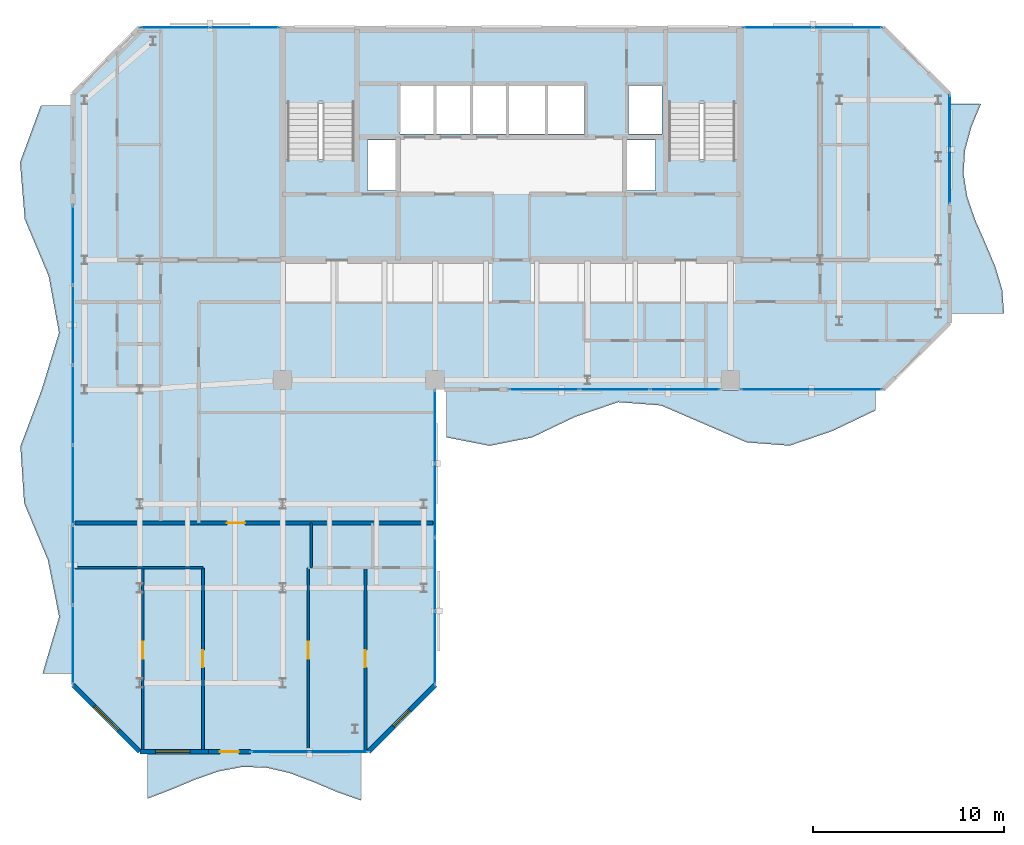
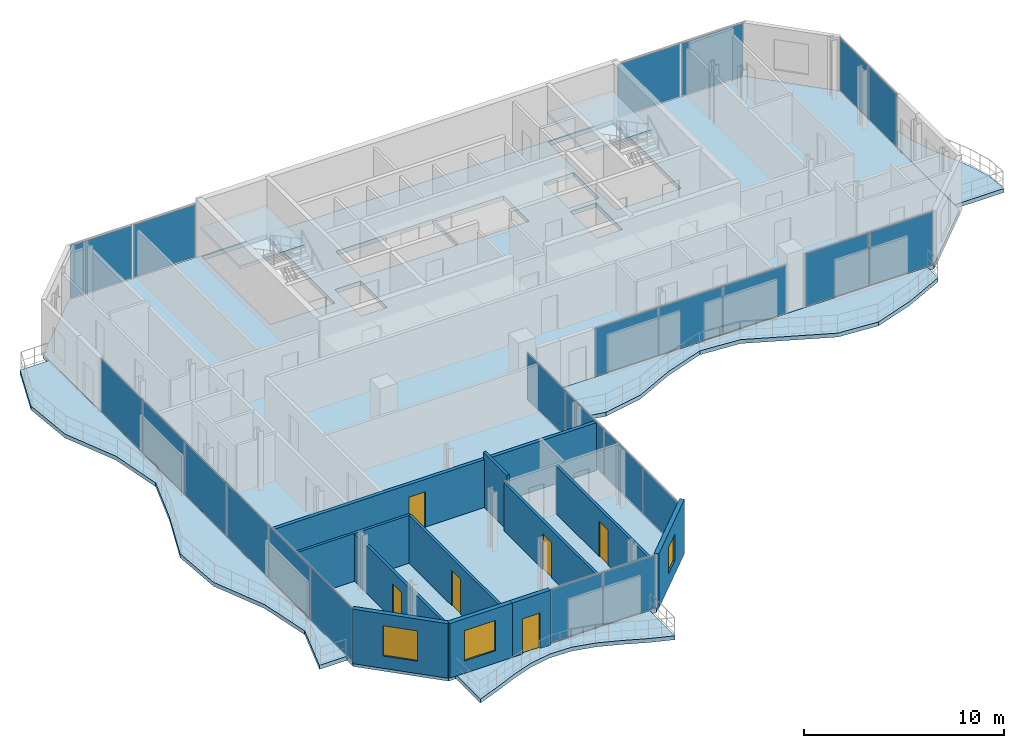
# One storey, part 17 of 23: 23 plates, 11 walls, 7 slabs, 6 doors, 3 windows, 9 openings, 10 elements without a shape of their own.
"""IFC4 building model written with IfcOpenShell, lengths in metres."""

from ifc_helpers import new_model, si_unit, direction, frame, frame_2d, origin, origin_2d, place, context, subcontext, project, spatial, polyline, rectangle, outline, extrude, material, layer, layer_set, type_object, element, fill, aggregate, save


model = new_model("IFC4")

# Units and contexts
model_context = context("Model", 3, precision=1e-05, world=origin(), true_north=direction((0.0, 1.0)))
body_context = subcontext(model_context, "Body", "Model", "MODEL_VIEW")
ifc_project = project(units=[si_unit("LENGTHUNIT", "METRE"), si_unit("AREAUNIT", "SQUARE_METRE"), si_unit("VOLUMEUNIT", "CUBIC_METRE"), si_unit("PLANEANGLEUNIT", "RADIAN"), si_unit("MASSUNIT", "GRAM", prefix="KILO")], contexts=[model_context])

# Site, building, storey
site_placement = place(None, origin())
site = spatial("IfcSite", under=ifc_project, at=site_placement, CompositionType="ELEMENT")
building_placement = place(site_placement, origin())
building = spatial("IfcBuilding", under=site, at=building_placement, Name="Catumbela Crestline Tower", CompositionType="ELEMENT")
storey_placement = place(building_placement, frame((0.0, 0.0, 193.8)))
storey = spatial("IfcBuildingStorey", under=building, at=storey_placement, Name="L50", CompositionType="ELEMENT", Elevation=193.8)

# Curtain wall, plates
ifc_material_1 = material(Name="Aluminium alloy AW-6060-T66", Category="aluminium")
ifc_layer_1 = layer(ifc_material_1, 0.18, Name="Aluminium alloy AW-6060-T66")
ifc_layer_set_1 = layer_set([ifc_layer_1], Name="Aluminium alloy AW-6060-T66")
curtain_wall_type = type_object("IfcCurtainWallType", Name="CWU-Z3", PredefinedType="USERDEFINED", material=ifc_layer_set_1)
curtain_wall_1_placement = place(storey_placement, origin())
curtain_wall_1 = element("IfcCurtainWall", 1, at=curtain_wall_1_placement, inside=storey, type_object=curtain_wall_type, Name="L50 Unitised Curtain Wall CW-L50-E0S2", ObjectType="UNITISED", PredefinedType="USERDEFINED")
ifc_material_2 = material(Name="Low-E laminated solar-control double glazing", Category="glass")
ifc_layer_2 = layer(ifc_material_2, 0.036, Name="Low-E laminated solar-control double glazing")
ifc_layer_set_2 = layer_set([ifc_layer_2], Name="Low-E laminated solar-control double glazing")
plate_type = type_object("IfcPlateType", Name="PNL-GLZ-Z3", PredefinedType="CURTAIN_PANEL", material=ifc_layer_set_2)
plate_1_placement = place(storey_placement, frame((15.8662, 5.0, 0.06), z_axis=(0.0, 0.0, 1.0), x_axis=(1.0, 0.0, 0.0)))
plate_1 = element("IfcPlate", 2, at=plate_1_placement, type_object=plate_type, Name="CWU-Z3 panel 1.1", PredefinedType="CURTAIN_PANEL", context=body_context, shape_type="SweptSolid", body=[
    extrude(rectangle(XDim=3.0025, YDim=0.034, at=origin_2d()), origin(), (0.0, 0.0, 1.0), 3.21),
])
plate_2_placement = place(storey_placement, frame((18.9338, 5.0, 0.06), z_axis=(0.0, 0.0, 1.0), x_axis=(1.0, 0.0, 0.0)))
plate_2 = element("IfcPlate", 3, at=plate_2_placement, type_object=plate_type, Name="CWU-Z3 panel 2.1", PredefinedType="CURTAIN_PANEL", context=body_context, shape_type="SweptSolid", body=[
    extrude(rectangle(XDim=3.0025, YDim=0.034, at=origin_2d()), origin(), (0.0, 0.0, 1.0), 3.21),
])
aggregate(curtain_wall_1, [plate_1, plate_2])

curtain_wall_2_placement = place(storey_placement, origin())
curtain_wall_2 = element("IfcCurtainWall", 4, at=curtain_wall_2_placement, inside=storey, type_object=curtain_wall_type, Name="L50 Unitised Curtain Wall CW-L50-E2S1", ObjectType="UNITISED", PredefinedType="USERDEFINED")
plate_3_placement = place(storey_placement, frame((24.0, 10.4538, 0.06), z_axis=(0.0, 0.0, 1.0), x_axis=(0.0, 1.0, 0.0)))
plate_3 = element("IfcPlate", 5, at=plate_3_placement, type_object=plate_type, Name="CWU-Z3 panel 1.1", PredefinedType="CURTAIN_PANEL", context=body_context, shape_type="SweptSolid", body=[
    extrude(rectangle(XDim=3.7775, YDim=0.034, at=origin_2d()), origin(), (0.0, 0.0, 1.0), 2.8),
])
plate_4_placement = place(storey_placement, frame((24.0, 14.3125, 0.06), z_axis=(0.0, 0.0, 1.0), x_axis=(0.0, 1.0, 0.0)))
plate_4 = element("IfcPlate", 6, at=plate_4_placement, type_object=plate_type, Name="CWU-Z3 panel 2.1", PredefinedType="CURTAIN_PANEL", context=body_context, shape_type="SweptSolid", body=[
    extrude(rectangle(XDim=3.81, YDim=0.034, at=origin_2d()), origin(), (0.0, 0.0, 1.0), 2.8),
])
plate_5_placement = place(storey_placement, frame((24.0, 18.1875, 0.06), z_axis=(0.0, 0.0, 1.0), x_axis=(0.0, 1.0, 0.0)))
plate_5 = element("IfcPlate", 7, at=plate_5_placement, type_object=plate_type, Name="CWU-Z3 panel 3.1", PredefinedType="CURTAIN_PANEL", context=body_context, shape_type="SweptSolid", body=[
    extrude(rectangle(XDim=3.81, YDim=0.034, at=origin_2d()), origin(), (0.0, 0.0, 1.0), 2.8),
])
plate_6_placement = place(storey_placement, frame((24.0, 22.0462, 0.06), z_axis=(0.0, 0.0, 1.0), x_axis=(0.0, 1.0, 0.0)))
plate_6 = element("IfcPlate", 8, at=plate_6_placement, type_object=plate_type, Name="CWU-Z3 panel 4.1", PredefinedType="CURTAIN_PANEL", context=body_context, shape_type="SweptSolid", body=[
    extrude(rectangle(XDim=3.7775, YDim=0.034, at=origin_2d()), origin(), (0.0, 0.0, 1.0), 2.8),
])
aggregate(curtain_wall_2, [plate_3, plate_4, plate_5, plate_6])

curtain_wall_3_placement = place(storey_placement, origin())
curtain_wall_3 = element("IfcCurtainWall", 9, at=curtain_wall_3_placement, inside=storey, type_object=curtain_wall_type, Name="L50 Unitised Curtain Wall CW-L50-E3S2", ObjectType="UNITISED", PredefinedType="USERDEFINED")
plate_7_placement = place(storey_placement, frame((29.7246, 24.0, 0.06), z_axis=(0.0, 0.0, 1.0), x_axis=(1.0, 0.0, 0.0)))
plate_7 = element("IfcPlate", 10, at=plate_7_placement, type_object=plate_type, Name="CWU-Z3 panel 1.1", PredefinedType="CURTAIN_PANEL", context=body_context, shape_type="SweptSolid", body=[
    extrude(rectangle(XDim=3.6192, YDim=0.034, at=origin_2d()), origin(), (0.0, 0.0, 1.0), 2.9),
])
plate_8_placement = place(storey_placement, frame((33.425, 24.0, 0.06), z_axis=(0.0, 0.0, 1.0), x_axis=(1.0, 0.0, 0.0)))
plate_8 = element("IfcPlate", 11, at=plate_8_placement, type_object=plate_type, Name="CWU-Z3 panel 2.1", PredefinedType="CURTAIN_PANEL", context=body_context, shape_type="SweptSolid", body=[
    extrude(rectangle(XDim=3.6517, YDim=0.034, at=origin_2d()), origin(), (0.0, 0.0, 1.0), 2.9),
])
plate_9_placement = place(storey_placement, frame((37.1254, 24.0, 0.06), z_axis=(0.0, 0.0, 1.0), x_axis=(1.0, 0.0, 0.0)))
plate_9 = element("IfcPlate", 12, at=plate_9_placement, type_object=plate_type, Name="CWU-Z3 panel 3.1", PredefinedType="CURTAIN_PANEL", context=body_context, shape_type="SweptSolid", body=[
    extrude(rectangle(XDim=3.6192, YDim=0.034, at=origin_2d()), origin(), (0.0, 0.0, 1.0), 2.9),
])
aggregate(curtain_wall_3, [plate_7, plate_8, plate_9])

curtain_wall_4_placement = place(storey_placement, origin())
curtain_wall_4 = element("IfcCurtainWall", 13, at=curtain_wall_4_placement, inside=storey, type_object=curtain_wall_type, Name="L50 Unitised Curtain Wall CW-L50-E3S3", ObjectType="UNITISED", PredefinedType="USERDEFINED")
plate_10_placement = place(storey_placement, frame((41.8912, 24.0, 0.06), z_axis=(0.0, 0.0, 1.0), x_axis=(1.0, 0.0, 0.0)))
plate_10 = element("IfcPlate", 14, at=plate_10_placement, type_object=plate_type, Name="CWU-Z3 panel 1.1", PredefinedType="CURTAIN_PANEL", context=body_context, shape_type="SweptSolid", body=[
    extrude(rectangle(XDim=3.6525, YDim=0.034, at=origin_2d()), origin(), (0.0, 0.0, 1.0), 3.21),
])
plate_11_placement = place(storey_placement, frame((45.6088, 24.0, 0.06), z_axis=(0.0, 0.0, 1.0), x_axis=(1.0, 0.0, 0.0)))
plate_11 = element("IfcPlate", 15, at=plate_11_placement, type_object=plate_type, Name="CWU-Z3 panel 2.1", PredefinedType="CURTAIN_PANEL", context=body_context, shape_type="SweptSolid", body=[
    extrude(rectangle(XDim=3.6525, YDim=0.034, at=origin_2d()), origin(), (0.0, 0.0, 1.0), 3.21),
])
aggregate(curtain_wall_4, [plate_10, plate_11])

curtain_wall_5_placement = place(storey_placement, origin())
curtain_wall_5 = element("IfcCurtainWall", 16, at=curtain_wall_5_placement, inside=storey, type_object=curtain_wall_type, Name="L50 Unitised Curtain Wall CW-L50-E5S2", ObjectType="UNITISED", PredefinedType="USERDEFINED")
plate_12_placement = place(storey_placement, frame((51.0, 35.1662, 0.06), z_axis=(0.0, 0.0, 1.0), x_axis=(0.0, 1.0, 0.0)))
plate_12 = element("IfcPlate", 17, at=plate_12_placement, type_object=plate_type, Name="CWU-Z3 panel 1.1", PredefinedType="CURTAIN_PANEL", context=body_context, shape_type="SweptSolid", body=[
    extrude(rectangle(XDim=2.8025, YDim=0.034, at=origin_2d()), origin(), (0.0, 0.0, 1.0), 3.21),
])
plate_13_placement = place(storey_placement, frame((51.0, 38.0338, 0.06), z_axis=(0.0, 0.0, 1.0), x_axis=(0.0, 1.0, 0.0)))
plate_13 = element("IfcPlate", 18, at=plate_13_placement, type_object=plate_type, Name="CWU-Z3 panel 2.1", PredefinedType="CURTAIN_PANEL", context=body_context, shape_type="SweptSolid", body=[
    extrude(rectangle(XDim=2.8025, YDim=0.034, at=origin_2d()), origin(), (0.0, 0.0, 1.0), 3.21),
])
aggregate(curtain_wall_5, [plate_12, plate_13])

curtain_wall_6_placement = place(storey_placement, origin())
curtain_wall_6 = element("IfcCurtainWall", 19, at=curtain_wall_6_placement, inside=storey, type_object=curtain_wall_type, Name="L50 Unitised Curtain Wall CW-L50-E7S1", ObjectType="UNITISED", PredefinedType="USERDEFINED")
plate_14_placement = place(storey_placement, frame((45.6438, 43.0, 0.06), z_axis=(0.0, 0.0, 1.0), x_axis=(-1.0, 0.0, 0.0)))
plate_14 = element("IfcPlate", 20, at=plate_14_placement, type_object=plate_type, Name="CWU-Z3 panel 1.1", PredefinedType="CURTAIN_PANEL", context=body_context, shape_type="SweptSolid", body=[
    extrude(rectangle(XDim=3.5825, YDim=0.034, at=origin_2d()), origin(), (0.0, 0.0, 1.0), 3.21),
])
plate_15_placement = place(storey_placement, frame((41.9963, 43.0, 0.06), z_axis=(0.0, 0.0, 1.0), x_axis=(-1.0, 0.0, 0.0)))
plate_15 = element("IfcPlate", 21, at=plate_15_placement, type_object=plate_type, Name="CWU-Z3 panel 2.1", PredefinedType="CURTAIN_PANEL", context=body_context, shape_type="SweptSolid", body=[
    extrude(rectangle(XDim=3.5825, YDim=0.034, at=origin_2d()), origin(), (0.0, 0.0, 1.0), 3.21),
])
aggregate(curtain_wall_6, [plate_14, plate_15])

curtain_wall_7_placement = place(storey_placement, origin())
curtain_wall_7 = element("IfcCurtainWall", 22, at=curtain_wall_7_placement, inside=storey, type_object=curtain_wall_type, Name="L50 Unitised Curtain Wall CW-L50-E7S2", ObjectType="UNITISED", PredefinedType="USERDEFINED")
plate_16_placement = place(storey_placement, frame((14.0038, 43.0, 0.06), z_axis=(0.0, 0.0, 1.0), x_axis=(-1.0, 0.0, 0.0)))
plate_16 = element("IfcPlate", 23, at=plate_16_placement, type_object=plate_type, Name="CWU-Z3 panel 1.1", PredefinedType="CURTAIN_PANEL", context=body_context, shape_type="SweptSolid", body=[
    extrude(rectangle(XDim=3.5825, YDim=0.034, at=origin_2d()), origin(), (0.0, 0.0, 1.0), 3.21),
])
plate_17_placement = place(storey_placement, frame((10.3562, 43.0, 0.06), z_axis=(0.0, 0.0, 1.0), x_axis=(-1.0, 0.0, 0.0)))
plate_17 = element("IfcPlate", 24, at=plate_17_placement, type_object=plate_type, Name="CWU-Z3 panel 2.1", PredefinedType="CURTAIN_PANEL", context=body_context, shape_type="SweptSolid", body=[
    extrude(rectangle(XDim=3.5825, YDim=0.034, at=origin_2d()), origin(), (0.0, 0.0, 1.0), 3.21),
])
aggregate(curtain_wall_7, [plate_16, plate_17])

curtain_wall_8_placement = place(storey_placement, origin())
curtain_wall_8 = element("IfcCurtainWall", 25, at=curtain_wall_8_placement, inside=storey, type_object=curtain_wall_type, Name="L50 Unitised Curtain Wall CW-L50-E9S2", ObjectType="UNITISED", PredefinedType="USERDEFINED")
plate_18_placement = place(storey_placement, frame((5.0, 31.5838, 0.06), z_axis=(0.0, 0.0, 1.0), x_axis=(0.0, -1.0, 0.0)))
plate_18 = element("IfcPlate", 26, at=plate_18_placement, type_object=plate_type, Name="CWU-Z3 panel 1.1", PredefinedType="CURTAIN_PANEL", context=body_context, shape_type="SweptSolid", body=[
    extrude(rectangle(XDim=4.1025, YDim=0.034, at=origin_2d()), origin(), (0.0, 0.0, 1.0), 3.21),
])
plate_19_placement = place(storey_placement, frame((5.0, 27.4, 0.06), z_axis=(0.0, 0.0, 1.0), x_axis=(0.0, -1.0, 0.0)))
plate_19 = element("IfcPlate", 27, at=plate_19_placement, type_object=plate_type, Name="CWU-Z3 panel 2.1", PredefinedType="CURTAIN_PANEL", context=body_context, shape_type="SweptSolid", body=[
    extrude(rectangle(XDim=4.135, YDim=0.034, at=origin_2d()), origin(), (0.0, 0.0, 1.0), 3.21),
])
plate_20_placement = place(storey_placement, frame((5.0, 23.2, 0.06), z_axis=(0.0, 0.0, 1.0), x_axis=(0.0, -1.0, 0.0)))
plate_20 = element("IfcPlate", 28, at=plate_20_placement, type_object=plate_type, Name="CWU-Z3 panel 3.1", PredefinedType="CURTAIN_PANEL", context=body_context, shape_type="SweptSolid", body=[
    extrude(rectangle(XDim=4.135, YDim=0.034, at=origin_2d()), origin(), (0.0, 0.0, 1.0), 3.21),
])
plate_21_placement = place(storey_placement, frame((5.0, 19.0, 0.06), z_axis=(0.0, 0.0, 1.0), x_axis=(0.0, -1.0, 0.0)))
plate_21 = element("IfcPlate", 29, at=plate_21_placement, type_object=plate_type, Name="CWU-Z3 panel 4.1", PredefinedType="CURTAIN_PANEL", context=body_context, shape_type="SweptSolid", body=[
    extrude(rectangle(XDim=4.135, YDim=0.034, at=origin_2d()), origin(), (0.0, 0.0, 1.0), 3.21),
])
plate_22_placement = place(storey_placement, frame((5.0, 14.8, 0.06), z_axis=(0.0, 0.0, 1.0), x_axis=(0.0, -1.0, 0.0)))
plate_22 = element("IfcPlate", 30, at=plate_22_placement, type_object=plate_type, Name="CWU-Z3 panel 5.1", PredefinedType="CURTAIN_PANEL", context=body_context, shape_type="SweptSolid", body=[
    extrude(rectangle(XDim=4.135, YDim=0.034, at=origin_2d()), origin(), (0.0, 0.0, 1.0), 3.21),
])
plate_23_placement = place(storey_placement, frame((5.0, 10.6163, 0.06), z_axis=(0.0, 0.0, 1.0), x_axis=(0.0, -1.0, 0.0)))
plate_23 = element("IfcPlate", 31, at=plate_23_placement, type_object=plate_type, Name="CWU-Z3 panel 6.1", PredefinedType="CURTAIN_PANEL", context=body_context, shape_type="SweptSolid", body=[
    extrude(rectangle(XDim=4.1025, YDim=0.034, at=origin_2d()), origin(), (0.0, 0.0, 1.0), 3.21),
])
aggregate(curtain_wall_8, [plate_18, plate_19, plate_20, plate_21, plate_22, plate_23])

# Stair, slab
ifc_material_3 = material(Name="Concrete C45/55", Category="concrete")
stair_type = type_object("IfcStairType", Name="ST-DLG", PredefinedType="HALF_TURN_STAIR", material=ifc_material_3)
stair_1_placement = place(storey_placement, origin())
stair_1 = element("IfcStair", 32, at=stair_1_placement, inside=storey, type_object=stair_type, Name="L50 West Core Pressurised Exit Stair ST-01", PredefinedType="HALF_TURN_STAIR")
ifc_layer_3 = layer(ifc_material_3, 0.2, Name="Concrete C45/55")
ifc_layer_set_3 = layer_set([ifc_layer_3], Name="Concrete C45/55")
slab_type_1 = type_object("IfcSlabType", Name="SL-LND", PredefinedType="LANDING", material=ifc_layer_set_3)
slab_1_placement = place(storey_placement, frame((0.0, 0.0, 1.6)))
slab_1 = element("IfcSlab", 33, at=slab_1_placement, type_object=slab_type_1, Name="ST-01 landing 1", PredefinedType="LANDING", context=body_context, shape_type="SweptSolid", body=[
    extrude(outline(polyline([(19.91, 39.02), (19.91, 42.96), (16.09, 42.96), (16.09, 39.02), (19.91, 39.02)])), origin(), (0.0, 0.0, 1.0), 0.2),
])
aggregate(stair_1, [slab_1])

stair_2_placement = place(storey_placement, origin())
stair_2 = element("IfcStair", 34, at=stair_2_placement, inside=storey, type_object=stair_type, Name="L50 East Core Pressurised Exit Stair ST-02", PredefinedType="HALF_TURN_STAIR")
slab_2_placement = place(storey_placement, frame((0.0, 0.0, 1.6)))
slab_2 = element("IfcSlab", 35, at=slab_2_placement, type_object=slab_type_1, Name="ST-02 landing 1", PredefinedType="LANDING", context=body_context, shape_type="SweptSolid", body=[
    extrude(outline(polyline([(39.91, 39.02), (39.91, 42.96), (36.09, 42.96), (36.09, 39.02), (39.91, 39.02)])), origin(), (0.0, 0.0, 1.0), 0.2),
])
aggregate(stair_2, [slab_2])

# Slabs
ifc_layer_4 = layer(ifc_material_3, 0.26, Name="Concrete C45/55")
ifc_layer_set_4 = layer_set([ifc_layer_4], Name="Concrete C45/55")
slab_type_2 = type_object("IfcSlabType", Name="SL-260", PredefinedType="FLOOR", material=ifc_layer_set_4)
slab_3_placement = place(storey_placement, frame((0.0, 0.0, -0.26)))
element("IfcSlab", 36, at=slab_3_placement, inside=storey, type_object=slab_type_2, Name="L50 Structural Floor Slab", PredefinedType="FLOOR", context=body_context, shape_type="SweptSolid", body=[
    extrude(outline(polyline([(8.5, 5.0), (20.5, 5.0), (24.0, 8.5), (24.0, 24.0), (47.5, 24.0), (51.0, 27.5), (51.0, 39.5), (47.5, 43.0), (8.5, 43.0), (5.0, 39.5), (5.0, 8.5), (8.5, 5.0)]), holes=[polyline([(16.13, 36.08), (19.87, 36.08), (19.87, 42.92), (16.13, 42.92), (16.13, 36.08)]), polyline([(36.13, 36.08), (39.87, 36.08), (39.87, 42.92), (36.13, 42.92), (36.13, 36.08)]), polyline([(22.15, 37.4), (27.75, 37.4), (27.75, 39.95), (22.15, 39.95), (22.15, 37.4)]), polyline([(27.85, 37.4), (31.85, 37.4), (31.85, 39.95), (27.85, 39.95), (27.85, 37.4)]), polyline([(20.45, 34.45), (21.95, 34.45), (21.95, 37.1), (20.45, 37.1), (20.45, 34.45)]), polyline([(34.05, 34.45), (35.55, 34.45), (35.55, 37.1), (34.05, 37.1), (34.05, 34.45)]), polyline([(34.15, 37.4), (35.9, 37.4), (35.9, 39.95), (34.15, 39.95), (34.15, 37.4)])]), origin(), (0.0, 0.0, 1.0), 0.26),
])
ifc_layer_5 = layer(ifc_material_3, 0.24, Name="Concrete C45/55")
ifc_layer_set_5 = layer_set([ifc_layer_5], Name="Concrete C45/55")
slab_type_3 = type_object("IfcSlabType", Name="SB-240W", PredefinedType="USERDEFINED", material=ifc_layer_set_5)
slab_4_placement = place(storey_placement, frame((0.0, 0.0, -0.24)))
element("IfcSlab", 37, at=slab_4_placement, inside=storey, type_object=slab_type_3, Name="L50 Cantilevered Wave Balcony Slab SPINE-S", ObjectType="BALCONY", PredefinedType="USERDEFINED", context=body_context, shape_type="SweptSolid", body=[
    extrude(outline(polyline([(24.6, 21.4947), (26.85, 21.05), (29.1, 21.4947), (31.35, 22.5708), (33.6, 23.3413), (35.85, 23.1708), (38.1, 22.2), (40.35, 21.2292), (42.6, 21.0587), (44.85, 21.8292), (47.1, 22.9053), (47.1, 23.99), (24.6, 23.99), (24.6, 21.4947)])), origin(), (0.0, 0.0, 1.0), 0.24),
])
slab_5_placement = place(storey_placement, frame((0.0, 0.0, -0.24)))
element("IfcSlab", 38, at=slab_5_placement, inside=storey, type_object=slab_type_3, Name="L50 Cantilevered Wave Balcony Slab SPINE-E", ObjectType="BALCONY", PredefinedType="USERDEFINED", context=body_context, shape_type="SweptSolid", body=[
    extrude(outline(polyline([(51.01, 28.0), (53.85, 28.0), (53.7631, 29.2222), (53.4003, 30.4444), (52.8835, 31.6667), (52.3453, 32.8889), (51.9237, 34.1111), (51.7268, 35.3333), (51.8051, 36.5556), (52.1386, 37.7778), (52.6416, 39.0), (51.01, 39.0), (51.01, 28.0)])), origin(), (0.0, 0.0, 1.0), 0.24),
])
slab_6_placement = place(storey_placement, frame((0.0, 0.0, -0.24)))
element("IfcSlab", 39, at=slab_6_placement, inside=storey, type_object=slab_type_3, Name="L50 Cantilevered Wave Balcony Slab WING-S", ObjectType="BALCONY", PredefinedType="USERDEFINED", context=body_context, shape_type="SweptSolid", body=[
    extrude(outline(polyline([(8.9, 2.5326), (10.1444, 3.0054), (11.3889, 3.5298), (12.6333, 3.9667), (13.8778, 4.1999), (15.1222, 4.1675), (16.3667, 3.8781), (17.6111, 3.4086), (18.8556, 2.8837), (20.1, 2.4428), (20.1, 4.99), (8.9, 4.99), (8.9, 2.5326)])), origin(), (0.0, 0.0, 1.0), 0.24),
])
slab_7_placement = place(storey_placement, frame((0.0, 0.0, -0.24)))
element("IfcSlab", 40, at=slab_7_placement, inside=storey, type_object=slab_type_3, Name="L50 Cantilevered Wave Balcony Slab WEST", ObjectType="BALCONY", PredefinedType="USERDEFINED", context=body_context, shape_type="SweptSolid", body=[
    extrude(outline(polyline([(4.99, 38.9), (3.311, 38.9), (2.2163, 35.92), (2.4654, 32.94), (3.718, 29.96), (4.263, 26.98), (3.3559, 24.0), (2.2358, 21.02), (2.4329, 18.04), (3.6779, 15.06), (4.2701, 12.08), (3.4005, 9.1), (4.99, 9.1), (4.99, 38.9)])), origin(), (0.0, 0.0, 1.0), 0.24),
])

# Wall, opening, door
ifc_material_4 = material(Name="Angolan grey-ochre granite", Category="masonry")
ifc_layer_6 = layer(ifc_material_4, 0.25, Name="Angolan grey-ochre granite")
ifc_layer_set_6 = layer_set([ifc_layer_6], Name="Angolan grey-ochre granite")
wall_type_1 = type_object("IfcWallType", Name="WE-250", PredefinedType="STANDARD", material=ifc_layer_set_6)
wall_1_placement = place(storey_placement, frame((12.1, 5.0, 0.0), z_axis=(0.0, 0.0, 1.0), x_axis=(1.0, 0.0, 0.0)))
wall_1 = element("IfcWall", 41, at=wall_1_placement, inside=storey, type_object=wall_type_1, Name="L50 Exterior Threshold Portal Wall DR-L50-WBAL-3", PredefinedType="STANDARD", context=body_context, shape_type="SweptSolid", body=[
    extrude(rectangle(XDim=2.2, YDim=0.25, at=frame_2d((1.1, 0.0))), origin(), (0.0, 0.0, 1.0), 3.33),
])
opening_1_placement = place(wall_1_placement, frame((0.6, 0.0, 0.0)))
opening_1 = element("IfcOpeningElement", 42, at=opening_1_placement, cuts=wall_1, Name="Opening DB-L50-3", PredefinedType="OPENING", context=body_context, shape_type="SweptSolid", body=[
    extrude(rectangle(XDim=1.0, YDim=2.15, at=frame_2d((0.5, 1.075))), frame((0.0, 0.135, 0.0), z_axis=(0.0, -1.0, 0.0), x_axis=(1.0, 0.0, 0.0)), (0.0, 0.0, 1.0), 0.27),
])
door_type_1 = type_object("IfcDoorType", Name="DB-1000", OperationType="NOTDEFINED", PredefinedType="DOOR", material=ifc_material_1)
door_1_placement = place(opening_1_placement, origin())
door_1 = element("IfcDoor", 43, at=door_1_placement, inside=storey, type_object=door_type_1, Name="L50 Wave Balcony Terrace Door 3", OperationType="SINGLE_SWING_RIGHT", OverallHeight=2.15, OverallWidth=1.0, PredefinedType="DOOR", context=body_context, shape_type="SweptSolid", body=[
    extrude(rectangle(XDim=1.0, YDim=2.15, at=frame_2d((0.5, 1.075))), frame((0.0, 0.025, 0.0), z_axis=(0.0, -1.0, 0.0), x_axis=(1.0, 0.0, 0.0)), (0.0, 0.0, 1.0), 0.05),
])
fill(opening_1, door_1)

# Wall, opening, window
wall_2_placement = place(storey_placement, frame((8.5, 5.0, 0.0), z_axis=(0.0, 0.0, 1.0), x_axis=(1.0, 0.0, 0.0)))
wall_2 = element("IfcWall", 44, at=wall_2_placement, inside=storey, type_object=wall_type_1, Name="L50 Granite Punched Window Wall 0-1", PredefinedType="STANDARD", context=body_context, shape_type="SweptSolid", body=[
    extrude(rectangle(XDim=3.6, YDim=0.25, at=frame_2d((1.8, 0.0))), origin(), (0.0, 0.0, 1.0), 3.33),
])
opening_2_placement = place(wall_2_placement, frame((0.835, 0.0, 0.75)))
opening_2 = element("IfcOpeningElement", 45, at=opening_2_placement, cuts=wall_2, Name="Opening WN-01", PredefinedType="OPENING", context=body_context, shape_type="SweptSolid", body=[
    extrude(rectangle(XDim=1.8, YDim=1.85, at=frame_2d((0.9, 0.925))), frame((0.0, 0.135, 0.0), z_axis=(0.0, -1.0, 0.0), x_axis=(1.0, 0.0, 0.0)), (0.0, 0.0, 1.0), 0.27),
])
window_type_1 = type_object("IfcWindowType", Name="WF-1800", PartitioningType="SINGLE_PANEL", PredefinedType="WINDOW", material=ifc_material_2)
window_1_placement = place(opening_2_placement, origin())
window_1 = element("IfcWindow", 46, at=window_1_placement, inside=storey, type_object=window_type_1, Name="L50 Facade Vision Window 325", OverallHeight=1.85, OverallWidth=1.8, PartitioningType="SINGLE_PANEL", PredefinedType="WINDOW", context=body_context, shape_type="SweptSolid", body=[
    extrude(rectangle(XDim=1.8, YDim=1.85, at=frame_2d((0.9, 0.925))), frame((0.0, 0.03, 0.0), z_axis=(0.0, -1.0, 0.0), x_axis=(1.0, 0.0, 0.0)), (0.0, 0.0, 1.0), 0.06),
])
fill(opening_2, window_1)

wall_3_placement = place(storey_placement, frame((20.5, 5.0, 0.0), z_axis=(0.0, 0.0, 1.0), x_axis=(0.707106781187, 0.707106781187, 0.0)))
wall_3 = element("IfcWall", 47, at=wall_3_placement, inside=storey, type_object=wall_type_1, Name="L50 Granite Punched Window Wall 1-1", PredefinedType="STANDARD", context=body_context, shape_type="SweptSolid", body=[
    extrude(rectangle(XDim=4.9497, YDim=0.25, at=frame_2d((2.4748, 0.0))), origin(), (0.0, 0.0, 1.0), 3.33),
])
opening_3_placement = place(wall_3_placement, frame((1.8748, 0.0, 0.85)))
opening_3 = element("IfcOpeningElement", 48, at=opening_3_placement, cuts=wall_3, Name="Opening WN-02", PredefinedType="OPENING", context=body_context, shape_type="SweptSolid", body=[
    extrude(rectangle(XDim=1.2, YDim=1.6, at=frame_2d((0.6, 0.8))), frame((0.0, 0.135, 0.0), z_axis=(0.0, -1.0, 0.0), x_axis=(1.0, 0.0, 0.0)), (0.0, 0.0, 1.0), 0.27),
])
window_type_2 = type_object("IfcWindowType", Name="WO-1200", PartitioningType="SINGLE_PANEL", PredefinedType="WINDOW", material=ifc_material_2)
window_2_placement = place(opening_3_placement, origin())
window_2 = element("IfcWindow", 49, at=window_2_placement, inside=storey, type_object=window_type_2, Name="L50 Facade Vision Window 326", OverallHeight=1.6, OverallWidth=1.2, PartitioningType="SINGLE_PANEL", PredefinedType="WINDOW", context=body_context, shape_type="SweptSolid", body=[
    extrude(rectangle(XDim=1.2, YDim=1.6, at=frame_2d((0.6, 0.8))), frame((0.0, 0.03, 0.0), z_axis=(0.0, -1.0, 0.0), x_axis=(1.0, 0.0, 0.0)), (0.0, 0.0, 1.0), 0.06),
])
fill(opening_3, window_2)

wall_4_placement = place(storey_placement, frame((5.0, 8.5, 0.0), z_axis=(0.0, 0.0, 1.0), x_axis=(0.707106781187, -0.707106781187, 0.0)))
wall_4 = element("IfcWall", 50, at=wall_4_placement, inside=storey, type_object=wall_type_1, Name="L50 Granite Punched Window Wall 10-1", PredefinedType="STANDARD", context=body_context, shape_type="SweptSolid", body=[
    extrude(rectangle(XDim=4.9497, YDim=0.25, at=frame_2d((2.4748, 0.0))), origin(), (0.0, 0.0, 1.0), 3.33),
])
opening_4_placement = place(wall_4_placement, frame((1.5749, 0.0, 0.75)))
opening_4 = element("IfcOpeningElement", 51, at=opening_4_placement, cuts=wall_4, Name="Opening WN-01", PredefinedType="OPENING", context=body_context, shape_type="SweptSolid", body=[
    extrude(rectangle(XDim=1.8, YDim=1.85, at=frame_2d((0.9, 0.925))), frame((0.0, 0.135, 0.0), z_axis=(0.0, -1.0, 0.0), x_axis=(1.0, 0.0, 0.0)), (0.0, 0.0, 1.0), 0.27),
])
window_3_placement = place(opening_4_placement, origin())
window_3 = element("IfcWindow", 52, at=window_3_placement, inside=storey, type_object=window_type_1, Name="L50 Facade Vision Window 333", OverallHeight=1.85, OverallWidth=1.8, PartitioningType="SINGLE_PANEL", PredefinedType="WINDOW", context=body_context, shape_type="SweptSolid", body=[
    extrude(rectangle(XDim=1.8, YDim=1.85, at=frame_2d((0.9, 0.925))), frame((0.0, 0.03, 0.0), z_axis=(0.0, -1.0, 0.0), x_axis=(1.0, 0.0, 0.0)), (0.0, 0.0, 1.0), 0.06),
])
fill(opening_4, window_3)

# Walls
ifc_material_5 = material(Name="Acoustic gypsum and mineral-wool partition")
ifc_layer_7 = layer(ifc_material_5, 0.15, Name="Acoustic gypsum and mineral-wool partition")
ifc_layer_set_7 = layer_set([ifc_layer_7], Name="Acoustic gypsum and mineral-wool partition")
wall_type_2 = type_object("IfcWallType", Name="WP-150", PredefinedType="PARTITIONING", material=ifc_layer_set_7)
wall_5_placement = place(storey_placement, frame((17.5, 14.65, 0.0), z_axis=(0.0, 0.0, 1.0), x_axis=(0.0, 1.0, 0.0)))
element("IfcWall", 53, at=wall_5_placement, inside=storey, type_object=wall_type_2, Name="L50 Interior Partition PW-L50-SH1-KBW", PredefinedType="PARTITIONING", context=body_context, shape_type="SweptSolid", body=[
    extrude(rectangle(XDim=2.35, YDim=0.15, at=frame_2d((1.175, 0.0))), origin(), (0.0, 0.0, 1.0), 3.33),
])
wall_6_placement = place(storey_placement, frame((5.1, 14.65, 0.0), z_axis=(0.0, 0.0, 1.0), x_axis=(1.0, 0.0, 0.0)))
element("IfcWall", 54, at=wall_6_placement, inside=storey, type_object=wall_type_2, Name="L50 Interior Partition PW-L50-SH1-BDLH", PredefinedType="PARTITIONING", context=body_context, shape_type="SweptSolid", body=[
    extrude(rectangle(XDim=6.71, YDim=0.15, at=frame_2d((3.355, 0.0))), origin(), (0.0, 0.0, 1.0), 2.92),
])

# Wall, opening, door
wall_7_placement = place(storey_placement, frame((8.66, 5.1, 0.0), z_axis=(0.0, 0.0, 1.0), x_axis=(0.0, 1.0, 0.0)))
wall_7 = element("IfcWall", 55, at=wall_7_placement, inside=storey, type_object=wall_type_2, Name="L50 Interior Partition PW-L50-SH1-BDL", PredefinedType="PARTITIONING", context=body_context, shape_type="SweptSolid", body=[
    extrude(rectangle(XDim=9.55, YDim=0.15, at=frame_2d((4.775, 0.0))), origin(), (0.0, 0.0, 1.0), 2.92),
])
opening_5_placement = place(wall_7_placement, frame((4.7789, 0.0, 0.0)))
opening_5 = element("IfcOpeningElement", 56, at=opening_5_placement, cuts=wall_7, Name="Opening DI-090", PredefinedType="OPENING", context=body_context, shape_type="SweptSolid", body=[
    extrude(rectangle(XDim=0.9, YDim=2.15, at=frame_2d((0.45, 1.075))), frame((0.0, 0.085, 0.0), z_axis=(0.0, -1.0, 0.0), x_axis=(1.0, 0.0, 0.0)), (0.0, 0.0, 1.0), 0.17),
])
door_type_2 = type_object("IfcDoorType", Name="DI-090", OperationType="NOTDEFINED", PredefinedType="DOOR", material=ifc_material_1)
door_2_placement = place(opening_5_placement, origin())
door_2 = element("IfcDoor", 57, at=door_2_placement, inside=storey, type_object=door_type_2, Name="L50 Interior Door DR-L50-SH1-BD1", OperationType="SINGLE_SWING_LEFT", OverallHeight=2.15, OverallWidth=0.9, PredefinedType="DOOR", context=body_context, shape_type="SweptSolid", body=[
    extrude(rectangle(XDim=0.9, YDim=2.15, at=frame_2d((0.45, 1.075))), frame((0.0, 0.025, 0.0), z_axis=(0.0, -1.0, 0.0), x_axis=(1.0, 0.0, 0.0)), (0.0, 0.0, 1.0), 0.05),
])
fill(opening_5, door_2)

wall_8_placement = place(storey_placement, frame((20.34, 5.1, 0.0), z_axis=(0.0, 0.0, 1.0), x_axis=(0.0, 1.0, 0.0)))
wall_8 = element("IfcWall", 58, at=wall_8_placement, inside=storey, type_object=wall_type_2, Name="L50 Interior Partition PW-L50-SH1-BDR", PredefinedType="PARTITIONING", context=body_context, shape_type="SweptSolid", body=[
    extrude(rectangle(XDim=9.55, YDim=0.15, at=frame_2d((4.775, 0.0))), origin(), (0.0, 0.0, 1.0), 2.92),
])
opening_6_placement = place(wall_8_placement, frame((4.325, 0.0, 0.0)))
opening_6 = element("IfcOpeningElement", 59, at=opening_6_placement, cuts=wall_8, Name="Opening DI-090", PredefinedType="OPENING", context=body_context, shape_type="SweptSolid", body=[
    extrude(rectangle(XDim=0.9, YDim=2.15, at=frame_2d((0.45, 1.075))), frame((0.0, 0.085, 0.0), z_axis=(0.0, -1.0, 0.0), x_axis=(1.0, 0.0, 0.0)), (0.0, 0.0, 1.0), 0.17),
])
door_3_placement = place(opening_6_placement, origin())
door_3 = element("IfcDoor", 60, at=door_3_placement, inside=storey, type_object=door_type_2, Name="L50 Interior Door DR-L50-SH1-BD2", OperationType="SINGLE_SWING_RIGHT", OverallHeight=2.15, OverallWidth=0.9, PredefinedType="DOOR", context=body_context, shape_type="SweptSolid", body=[
    extrude(rectangle(XDim=0.9, YDim=2.15, at=frame_2d((0.45, 1.075))), frame((0.0, 0.025, 0.0), z_axis=(0.0, -1.0, 0.0), x_axis=(1.0, 0.0, 0.0)), (0.0, 0.0, 1.0), 0.05),
])
fill(opening_6, door_3)

wall_9_placement = place(storey_placement, frame((17.34, 5.1, 0.0), z_axis=(0.0, 0.0, 1.0), x_axis=(0.0, 1.0, 0.0)))
wall_9 = element("IfcWall", 61, at=wall_9_placement, inside=storey, type_object=wall_type_2, Name="L50 Interior Partition PW-L50-SH1-STW", PredefinedType="PARTITIONING", context=body_context, shape_type="SweptSolid", body=[
    extrude(rectangle(XDim=9.55, YDim=0.15, at=frame_2d((4.775, 0.0))), origin(), (0.0, 0.0, 1.0), 2.92),
])
opening_7_placement = place(wall_9_placement, frame((4.7789, 0.0, 0.0)))
opening_7 = element("IfcOpeningElement", 62, at=opening_7_placement, cuts=wall_9, Name="Opening DI-090", PredefinedType="OPENING", context=body_context, shape_type="SweptSolid", body=[
    extrude(rectangle(XDim=0.9, YDim=2.15, at=frame_2d((0.45, 1.075))), frame((0.0, 0.085, 0.0), z_axis=(0.0, -1.0, 0.0), x_axis=(1.0, 0.0, 0.0)), (0.0, 0.0, 1.0), 0.17),
])
door_4_placement = place(opening_7_placement, origin())
door_4 = element("IfcDoor", 63, at=door_4_placement, inside=storey, type_object=door_type_2, Name="L50 Interior Door DR-L50-SH1-STDY", OperationType="SINGLE_SWING_RIGHT", OverallHeight=2.15, OverallWidth=0.9, PredefinedType="DOOR", context=body_context, shape_type="SweptSolid", body=[
    extrude(rectangle(XDim=0.9, YDim=2.15, at=frame_2d((0.45, 1.075))), frame((0.0, 0.025, 0.0), z_axis=(0.0, -1.0, 0.0), x_axis=(1.0, 0.0, 0.0)), (0.0, 0.0, 1.0), 0.05),
])
fill(opening_7, door_4)

wall_10_placement = place(storey_placement, frame((11.81, 5.1, 0.0), z_axis=(0.0, 0.0, 1.0), x_axis=(0.0, 1.0, 0.0)))
wall_10 = element("IfcWall", 64, at=wall_10_placement, inside=storey, type_object=wall_type_2, Name="L50 Interior Partition PW-L50-SH1-DNW", PredefinedType="PARTITIONING", context=body_context, shape_type="SweptSolid", body=[
    extrude(rectangle(XDim=9.55, YDim=0.15, at=frame_2d((4.775, 0.0))), origin(), (0.0, 0.0, 1.0), 2.92),
])
opening_8_placement = place(wall_10_placement, frame((4.325, 0.0, 0.0)))
opening_8 = element("IfcOpeningElement", 65, at=opening_8_placement, cuts=wall_10, Name="Opening DI-090", PredefinedType="OPENING", context=body_context, shape_type="SweptSolid", body=[
    extrude(rectangle(XDim=0.9, YDim=2.15, at=frame_2d((0.45, 1.075))), frame((0.0, 0.085, 0.0), z_axis=(0.0, -1.0, 0.0), x_axis=(1.0, 0.0, 0.0)), (0.0, 0.0, 1.0), 0.17),
])
door_5_placement = place(opening_8_placement, origin())
door_5 = element("IfcDoor", 66, at=door_5_placement, inside=storey, type_object=door_type_2, Name="L50 Interior Door DR-L50-SH1-FDIN", OperationType="SINGLE_SWING_LEFT", OverallHeight=2.15, OverallWidth=0.9, PredefinedType="DOOR", context=body_context, shape_type="SweptSolid", body=[
    extrude(rectangle(XDim=0.9, YDim=2.15, at=frame_2d((0.45, 1.075))), frame((0.0, 0.025, 0.0), z_axis=(0.0, -1.0, 0.0), x_axis=(1.0, 0.0, 0.0)), (0.0, 0.0, 1.0), 0.05),
])
fill(opening_8, door_5)

ifc_layer_8 = layer(ifc_material_5, 0.2, Name="Acoustic gypsum and mineral-wool partition")
ifc_layer_set_8 = layer_set([ifc_layer_8], Name="Acoustic gypsum and mineral-wool partition")
wall_type_3 = type_object("IfcWallType", Name="WY-200", PredefinedType="PARTITIONING", material=ifc_layer_set_8)
wall_11_placement = place(storey_placement, frame((5.1, 17.0, 0.0), z_axis=(0.0, 0.0, 1.0), x_axis=(1.0, 0.0, 0.0)))
wall_11 = element("IfcWall", 67, at=wall_11_placement, inside=storey, type_object=wall_type_3, Name="L50 Interior Partition PW-L50-SH-WL", PredefinedType="PARTITIONING", context=body_context, shape_type="SweptSolid", body=[
    extrude(rectangle(XDim=18.8, YDim=0.2, at=frame_2d((9.4, 0.0))), origin(), (0.0, 0.0, 1.0), 2.92),
])
opening_9_placement = place(wall_11_placement, frame((7.975, 0.0, 0.0)))
opening_9 = element("IfcOpeningElement", 68, at=opening_9_placement, cuts=wall_11, Name="Opening DF6-095", PredefinedType="OPENING", context=body_context, shape_type="SweptSolid", body=[
    extrude(rectangle(XDim=0.95, YDim=2.15, at=frame_2d((0.475, 1.075))), frame((0.0, 0.11, 0.0), z_axis=(0.0, -1.0, 0.0), x_axis=(1.0, 0.0, 0.0)), (0.0, 0.0, 1.0), 0.22),
])
door_type_3 = type_object("IfcDoorType", Name="DF6-095", OperationType="NOTDEFINED", PredefinedType="DOOR", material=ifc_material_1)
door_6_placement = place(opening_9_placement, origin())
door_6 = element("IfcDoor", 69, at=door_6_placement, inside=storey, type_object=door_type_3, Name="L50 Interior Door DR-L50-SH1-ENT", OperationType="SINGLE_SWING_LEFT", OverallHeight=2.15, OverallWidth=0.95, PredefinedType="DOOR", context=body_context, shape_type="SweptSolid", body=[
    extrude(rectangle(XDim=0.95, YDim=2.15, at=frame_2d((0.475, 1.075))), frame((0.0, 0.025, 0.0), z_axis=(0.0, -1.0, 0.0), x_axis=(1.0, 0.0, 0.0)), (0.0, 0.0, 1.0), 0.05),
])
fill(opening_9, door_6)

save(model, "model.ifc")
